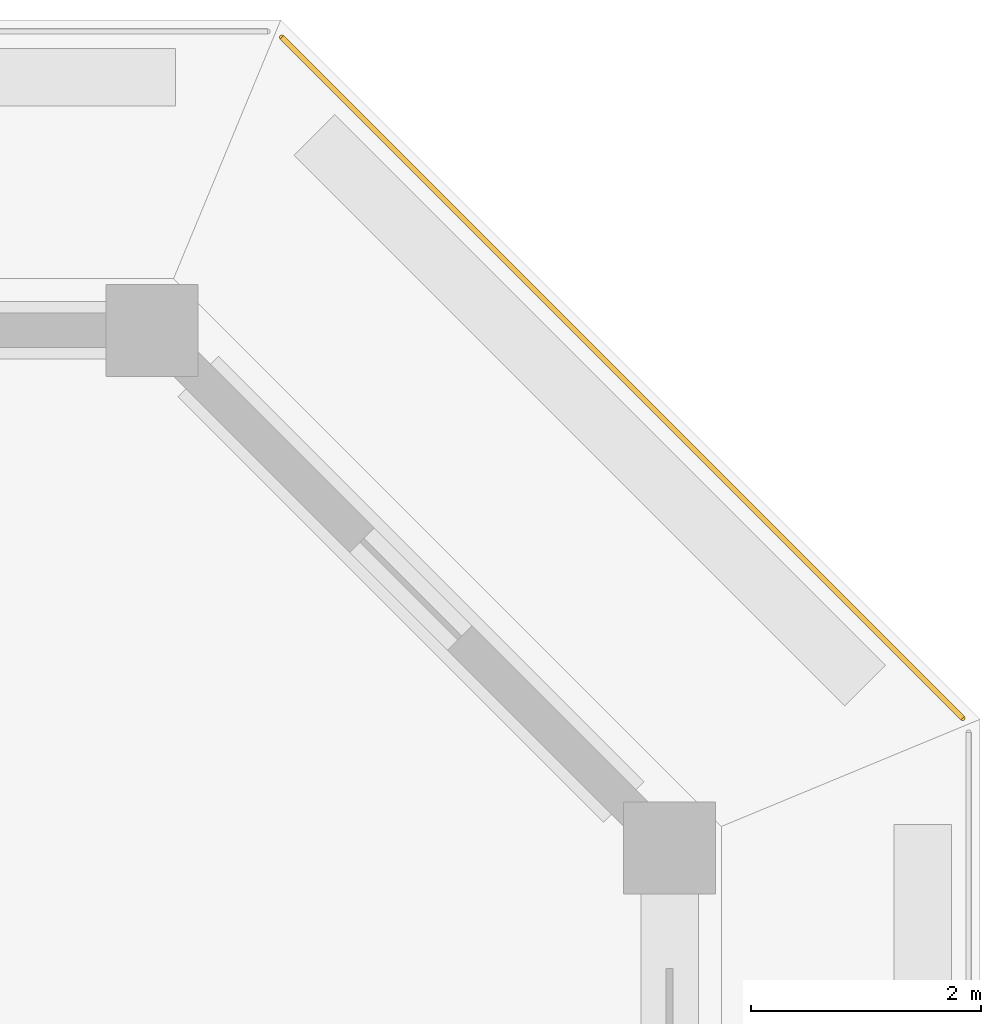
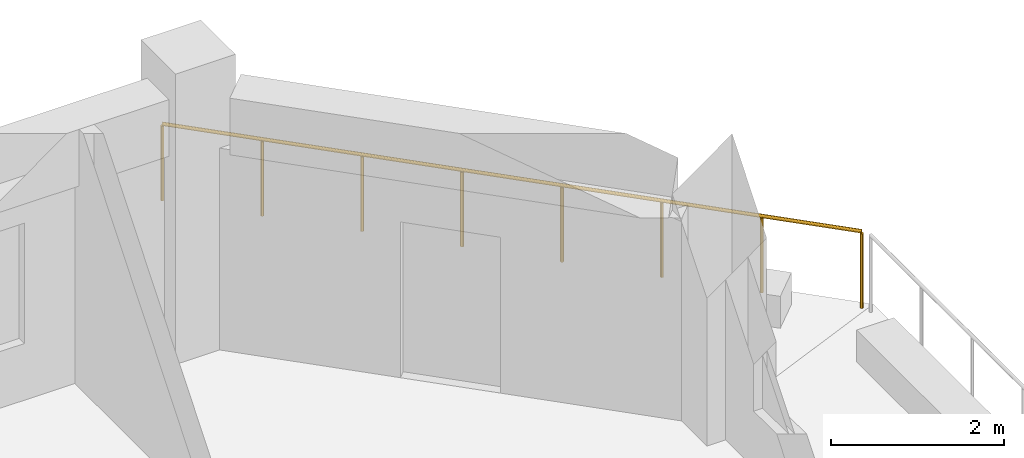
# One storey, part 16 of 17: 1 railing.
"""IFC4 building model written with IfcOpenShell, lengths in metres."""

import ifcopenshell
import ifcopenshell.guid

model = None  # the IFC model being written
_history = None  # IfcOwnerHistory: only IFC2X3 demands one
_inside = {}  # id of a spatial element -> (the spatial element, [elements in it])
_under = {}  # id of a project, library or spatial element -> (it, [spatial elements below it])
_declared = {}  # id of a project -> (the project, [libraries it declares])
_typed = {}  # id of a type object -> (the type object, [elements of that type])
_made_of = {}  # id of a material, layer set ... -> (it, [elements and type objects made of it])


def new_model(schema):
    """Start an empty IFC model of exactly this schema.

    Asked for "IFC4X3", IfcOpenShell would pick the latest addendum, in which some entities
    have other attributes; the version numbers below select the first issue.
    IFC2X3 requires an IfcOwnerHistory on every rooted entity: one is made here for all.
    """
    global model, _history
    if schema == "IFC4X3":
        model = ifcopenshell.file(schema_version=(4, 3, 0, 0))
    else:
        model = ifcopenshell.file(schema=schema)
    _inside.clear()
    _under.clear()
    _declared.clear()
    _typed.clear()
    _made_of.clear()
    _history = None
    if model.schema == "IFC2X3":
        org = make("IfcOrganization", Name="unknown")
        user = make(
            "IfcPersonAndOrganization",
            ThePerson=make("IfcPerson", FamilyName="unknown"),
            TheOrganization=org,
        )
        app = make(
            "IfcApplication",
            ApplicationDeveloper=org,
            Version="unknown",
            ApplicationFullName="unknown",
            ApplicationIdentifier="unknown",
        )
        _history = make(
            "IfcOwnerHistory",
            OwningUser=user,
            OwningApplication=app,
            ChangeAction="ADDED",
            CreationDate=0,
        )
    return model


def make(cls, **values):
    """One entity of the class cls with the attributes given. An attribute that is None is left unset."""
    return model.create_entity(
        cls, **{name: value for name, value in values.items() if value is not None}
    )


def rooted(cls, **values):
    """An entity with a GlobalId (a new one), such as an element, a storey or a relation."""
    return make(cls, GlobalId=ifcopenshell.guid.new(), OwnerHistory=_history, **values)


def si_unit(unit_type, name, prefix=None):
    """IfcSIUnit, for example si_unit("LENGTHUNIT", "METRE", prefix="MILLI")."""
    return make("IfcSIUnit", UnitType=unit_type, Prefix=prefix, Name=name)


def assignment(units):
    """IfcUnitAssignment: the units of a project."""
    return None if units is None else make("IfcUnitAssignment", Units=units)


def point(xyz):
    """IfcCartesianPoint."""
    return None if xyz is None else make("IfcCartesianPoint", Coordinates=xyz)


def direction(xyz):
    """IfcDirection."""
    return None if xyz is None else make("IfcDirection", DirectionRatios=xyz)


def frame(location, z_axis=None, x_axis=None):
    """IfcAxis2Placement3D, a coordinate frame: its origin and axes. An axis left out is left unset."""
    return make(
        "IfcAxis2Placement3D",
        Location=point(location),
        Axis=direction(z_axis),
        RefDirection=direction(x_axis),
    )


def frame_2d(location, x_axis=None):
    """IfcAxis2Placement2D, a coordinate frame in the plane: its origin and x axis."""
    return make(
        "IfcAxis2Placement2D", Location=point(location), RefDirection=direction(x_axis)
    )


def origin():
    """The frame at (0, 0, 0) with its axes left unset."""
    return frame((0.0, 0.0, 0.0))


def origin_2d():
    """The frame at (0, 0) in the plane with its x axis left unset."""
    return frame_2d((0.0, 0.0))


def place(relative_to, where):
    """IfcLocalPlacement: puts the frame where relative to a parent placement (None: the world)."""
    return make(
        "IfcLocalPlacement", PlacementRelTo=relative_to, RelativePlacement=where
    )


def context(
    kind, dimensions, precision=None, world=None, true_north=None, identifier=None
):
    """IfcGeometricRepresentationContext, for example the 3D "Model" context."""
    return make(
        "IfcGeometricRepresentationContext",
        ContextIdentifier=identifier,
        ContextType=kind,
        CoordinateSpaceDimension=dimensions,
        Precision=precision,
        WorldCoordinateSystem=world,
        TrueNorth=true_north,
    )


def subcontext(parent, identifier, kind, view, scale=None):
    """IfcGeometricRepresentationSubContext, for example "Body" below "Model"."""
    return make(
        "IfcGeometricRepresentationSubContext",
        ContextIdentifier=identifier,
        ContextType=kind,
        ParentContext=parent,
        TargetScale=scale,
        TargetView=view,
    )


def project(units=None, contexts=None):
    """IfcProject with its units and contexts."""
    return rooted(
        "IfcProject",
        Name="project",
        RepresentationContexts=contexts,
        UnitsInContext=assignment(units),
    )


def spatial(cls, under=None, at=None, **own):
    """A site, building, storey or space (cls), placed at a placement, below another one or the project."""
    s = rooted(cls, ObjectPlacement=at, **own)
    if under is not None:
        _under.setdefault(under.id(), (under, []))[1].append(s)
    return s


def profile(cls, at=None, kind="AREA", **sizes):
    """A parametric profile (cls). Its sizes go by their IFC names, for example OverallWidth=200.0."""
    return make(cls, ProfileType=kind, Position=at, **sizes)


def circle(**sizes):
    """IfcCircleProfileDef."""
    return profile("IfcCircleProfileDef", **sizes)


def extrude(swept, where, along, depth):
    """IfcExtrudedAreaSolid: the profile swept, set in the frame where, extruded along a direction by depth."""
    return make(
        "IfcExtrudedAreaSolid",
        SweptArea=swept,
        Position=where,
        ExtrudedDirection=direction(along),
        Depth=depth,
    )


def shape(context_of_items, identifier, shape_type, items):
    """IfcShapeRepresentation: the items that make up one representation, for example the "Body"."""
    return make(
        "IfcShapeRepresentation",
        ContextOfItems=context_of_items,
        RepresentationIdentifier=identifier,
        RepresentationType=shape_type,
        Items=items,
    )


def material(Name=None, Category=None):
    """IfcMaterial."""
    return make("IfcMaterial", Name=Name, Category=Category)


def made_of(thing, what):
    """Note that an element or type object is made of a material, layer set ...; save() writes the relation."""
    if what is not None:
        _made_of.setdefault(what.id(), (what, []))[1].append(thing)
    return thing


def type_object(cls, material=None, **own):
    """A type object (cls), such as IfcWallType, which elements share."""
    return made_of(rooted(cls, **own), material)


def element(
    cls,
    number,
    at=None,
    inside=None,
    cuts=None,
    type_object=None,
    material=None,
    context=None,
    identifier="Body",
    shape_type=None,
    held_by="IfcProductDefinitionShape",
    body=None,
    shapes=None,
    **own,
):
    """One element of the class cls, such as IfcWall. Its Tag is "e" and its number.

    at: its placement. inside: the storey or other place that contains it. cuts: it is an
    opening in that element (IfcRelVoidsElement). A single representation is given by context,
    identifier, shape_type and body (its items); several are given by shapes. held_by: the class
    of the entity that holds the representations. save() writes the other relations.
    """
    e = rooted(cls, Tag="e%d" % number, ObjectPlacement=at, **own)
    if body is not None:
        shapes = [shape(context, identifier, shape_type, body)]
    if shapes is not None:
        e.Representation = make(held_by, Representations=shapes)
    if inside is not None:
        _inside.setdefault(inside.id(), (inside, []))[1].append(e)
    if cuts is not None:
        rooted(
            "IfcRelVoidsElement", RelatingBuildingElement=cuts, RelatedOpeningElement=e
        )
    if type_object is not None:
        _typed.setdefault(type_object.id(), (type_object, []))[1].append(e)
    return made_of(e, material)


def aggregate(whole, parts):
    """IfcRelAggregates: a whole, such as a stair, and the parts it consists of."""
    return rooted("IfcRelAggregates", RelatingObject=whole, RelatedObjects=parts)


def save(model, path):
    """Write the relations noted so far, then the file.

    IfcRelAggregates (storeys below a building ...), IfcRelContainedInSpatialStructure (elements
    in a storey), IfcRelDefinesByType, IfcRelAssociatesMaterial and IfcRelDeclares: one each for
    every whole, place, type object, material and project.
    """
    for whole, parts in _under.values():
        aggregate(whole, parts)
    for where, things in _inside.values():
        rooted(
            "IfcRelContainedInSpatialStructure",
            RelatedElements=things,
            RelatingStructure=where,
        )
    for kind, things in _typed.values():
        rooted("IfcRelDefinesByType", RelatedObjects=things, RelatingType=kind)
    for what, things in _made_of.values():
        rooted("IfcRelAssociatesMaterial", RelatedObjects=things, RelatingMaterial=what)
    for by, libraries in _declared.values():
        rooted("IfcRelDeclares", RelatingContext=by, RelatedDefinitions=libraries)
    model.write(path)


model = new_model("IFC4")

# Units and contexts
model_context = context("Model", 3, precision=1e-05, world=origin(), true_north=direction((0.0, 1.0)))
body_context = subcontext(model_context, "Body", "Model", "MODEL_VIEW")
ifc_project = project(units=[si_unit("LENGTHUNIT", "METRE"), si_unit("AREAUNIT", "SQUARE_METRE"), si_unit("VOLUMEUNIT", "CUBIC_METRE"), si_unit("PLANEANGLEUNIT", "RADIAN"), si_unit("MASSUNIT", "GRAM", prefix="KILO")], contexts=[model_context])

# Site, building, storey
site_placement = place(None, origin())
site = spatial("IfcSite", under=ifc_project, at=site_placement, CompositionType="ELEMENT")
building_placement = place(site_placement, origin())
building = spatial("IfcBuilding", under=site, at=building_placement, Name="Corbel Stack Research Tower", CompositionType="ELEMENT")
storey_placement = place(building_placement, frame((0.0, 0.0, 252.10009765625)))
storey = spatial("IfcBuildingStorey", under=building, at=storey_placement, Name="L57", CompositionType="ELEMENT", Elevation=252.10009765625)

# Railing
ifc_material = material(Name="Powder-coated steel guard", Category="steel")
railing_type = type_object("IfcRailingType", Name="Steel and glass guard 1100", PredefinedType="GUARDRAIL", material=ifc_material)
railing_placement = place(storey_placement, frame((29.54931640625, 28.127685546875, 0.0)))
element("IfcRailing", 1, at=railing_placement, inside=storey, type_object=railing_type, Name="Loggia guard L57 NE", PredefinedType="GUARDRAIL", context=body_context, shape_type="SweptSolid", body=[
    extrude(circle(Radius=0.02392578125, at=origin_2d()), frame((0.0, 0.0, 1.076171875), z_axis=(-0.707106781187, 0.707106781187, 0.0), x_axis=(-0.707106781187, -0.707106781187, 0.0)), (0.0, 0.0, 1.0), 8.37451171875),
    extrude(circle(Radius=0.02099609375, at=origin_2d()), origin(), (0.0, 0.0, 1.0), 1.052001953125),
    extrude(circle(Radius=0.02099609375, at=origin_2d()), frame((-0.845947265625, 0.845947265625, 0.0)), (0.0, 0.0, 1.0), 1.052001953125),
    extrude(circle(Radius=0.02099609375, at=origin_2d()), frame((-1.69189453125, 1.69189453125, 0.0)), (0.0, 0.0, 1.0), 1.052001953125),
    extrude(circle(Radius=0.02099609375, at=origin_2d()), frame((-2.537841796875, 2.537841796875, 0.0)), (0.0, 0.0, 1.0), 1.052001953125),
    extrude(circle(Radius=0.02099609375, at=origin_2d()), frame((-3.3837890625, 3.3837890625, 0.0)), (0.0, 0.0, 1.0), 1.052001953125),
    extrude(circle(Radius=0.02099609375, at=origin_2d()), frame((-4.229736328125, 4.229736328125, 0.0)), (0.0, 0.0, 1.0), 1.052001953125),
    extrude(circle(Radius=0.02099609375, at=origin_2d()), frame((-5.07568359375, 5.07568359375, 0.0)), (0.0, 0.0, 1.0), 1.052001953125),
    extrude(circle(Radius=0.02099609375, at=origin_2d()), frame((-5.921630859375, 5.921630859375, 0.0)), (0.0, 0.0, 1.0), 1.052001953125),
])

save(model, "model.ifc")
